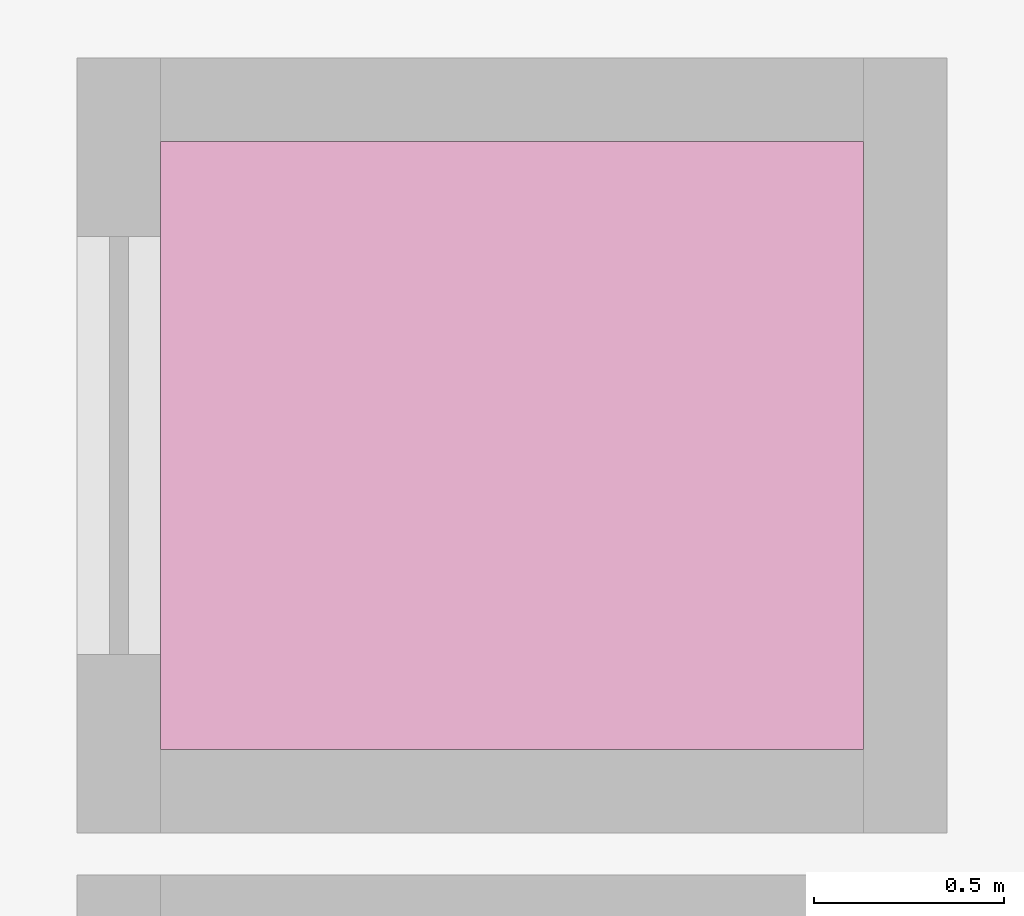
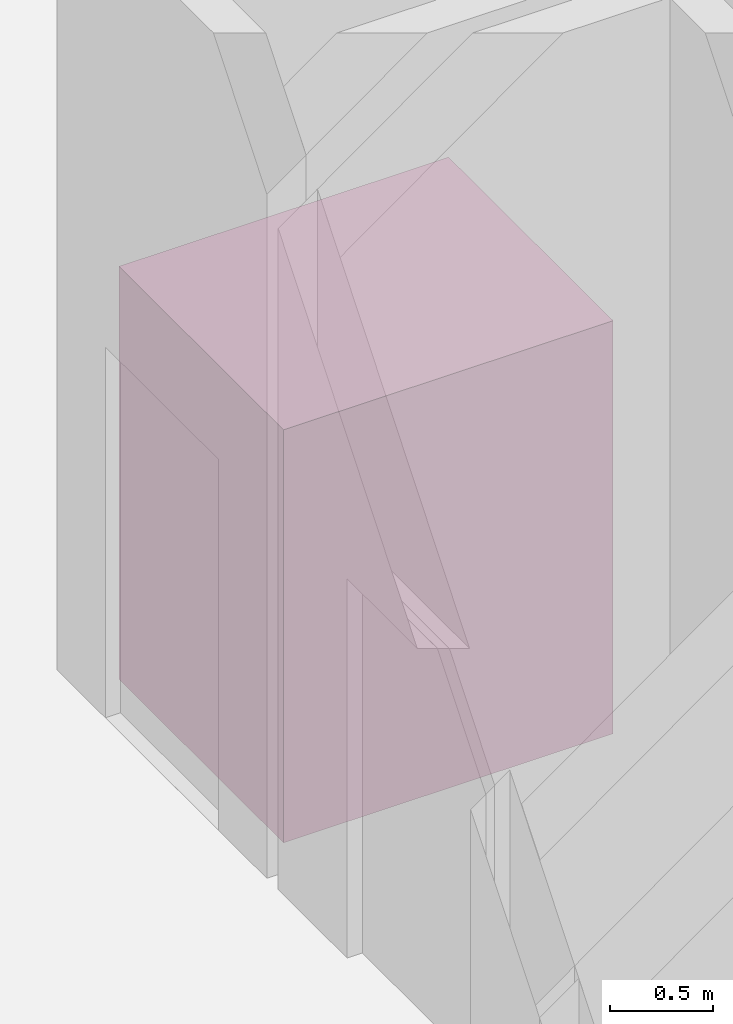
# One storey, part 11 of 11: 1 transport element.
"""IFC4 building model written with IfcOpenShell, lengths in metres."""

from ifc_helpers import new_model, si_unit, direction, frame, origin, origin_2d, place, context, subcontext, project, spatial, rectangle, extrude, source, transform, mapped, material, type_object, element, save


model = new_model("IFC4")

# Units and contexts
model_context = context("Model", 3, precision=1e-05, world=origin(), true_north=direction((0.0, 1.0)))
body_context = subcontext(model_context, "Body", "Model", "MODEL_VIEW")
ifc_project = project(units=[si_unit("LENGTHUNIT", "METRE"), si_unit("AREAUNIT", "SQUARE_METRE"), si_unit("VOLUMEUNIT", "CUBIC_METRE"), si_unit("PLANEANGLEUNIT", "RADIAN"), si_unit("MASSUNIT", "GRAM", prefix="KILO")], contexts=[model_context])

# Site, building, storey
site_placement = place(None, origin())
site = spatial("IfcSite", under=ifc_project, at=site_placement, CompositionType="ELEMENT")
building_placement = place(site_placement, origin())
building = spatial("IfcBuilding", under=site, at=building_placement, Name="Vardaveli Station Tower", CompositionType="ELEMENT")
storey_placement = place(building_placement, frame((0.0, 0.0, 286.14990234375)))
storey = spatial("IfcBuildingStorey", under=building, at=storey_placement, Name="L73", CompositionType="ELEMENT", Elevation=286.14990234375)

# Transport element
ifc_material = material(Name="Brushed stainless steel elevator cab", Category="steel")
transport_element_type = type_object("IfcTransportElementType", Name="LIFT-PASS-1600", PredefinedType="ELEVATOR", material=ifc_material)
shared_shape = source(origin(), body_context, "Body", "SweptSolid", [
    extrude(rectangle(XDim=1.85009765625, YDim=1.60009765625, at=origin_2d()), origin(), (0.0, 0.0, 1.0), 2.449951171875),
])
transport_element_placement = place(storey_placement, frame((29.550048828125, 23.5, 0.0), z_axis=(0.0, 0.0, 1.0), x_axis=(1.0, 0.0, 0.0)))
element("IfcTransportElement", 1, at=transport_element_placement, inside=storey, type_object=transport_element_type, Name="Lift CRN-01", PredefinedType="ELEVATOR", context=body_context, shape_type="MappedRepresentation", body=[
    mapped(shared_shape, transform((0.0, 0.0, 0.0), scale=1.0)),
])

save(model, "model.ifc")
